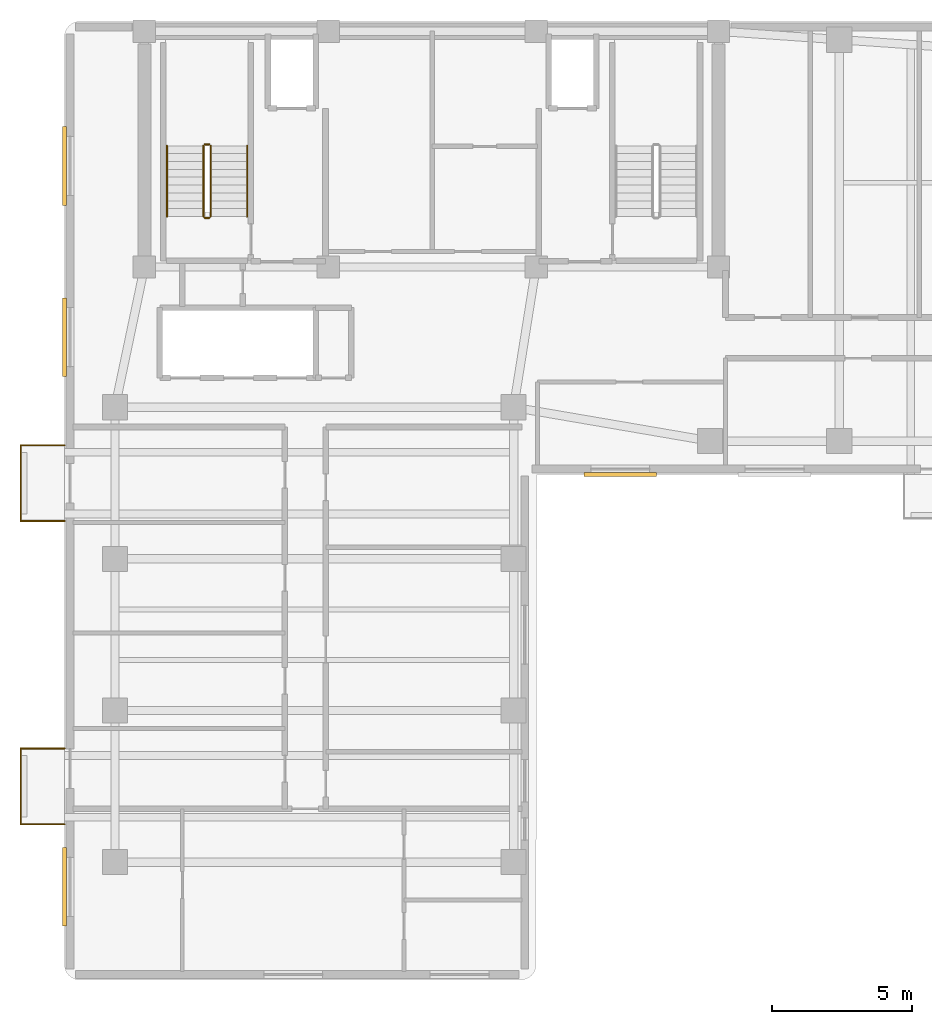
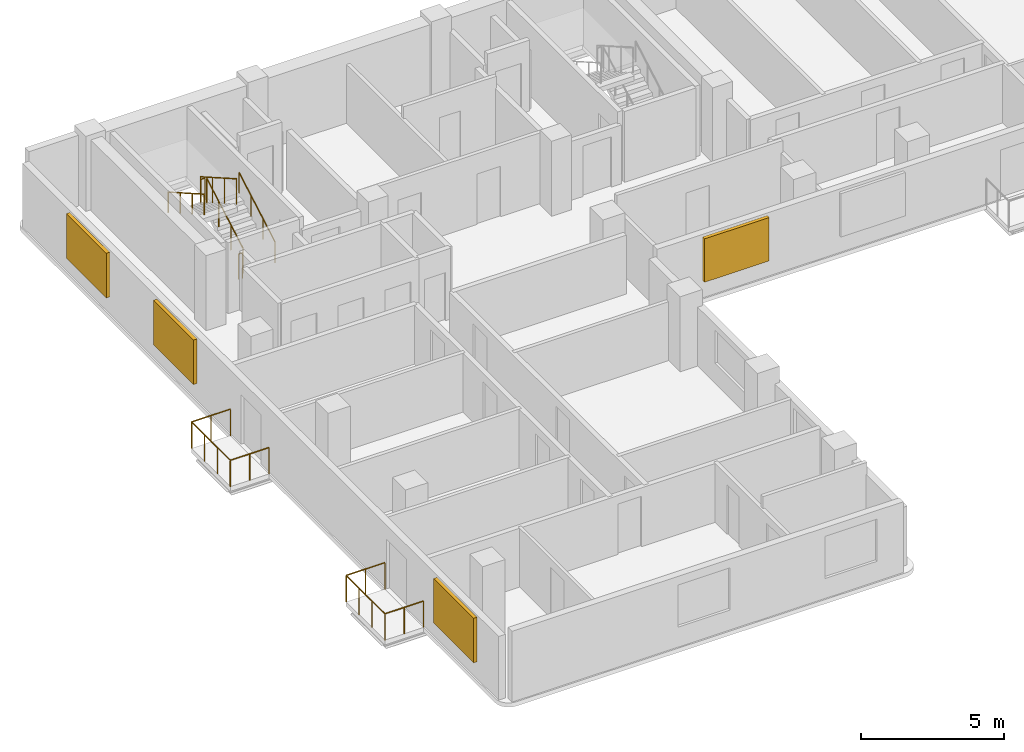
# One storey, part 6 of 7: 12 railings, 4 shading devices.
"""IFC4 building model written with IfcOpenShell, lengths in metres."""

import ifcopenshell
import ifcopenshell.guid

model = None  # the IFC model being written
_history = None  # IfcOwnerHistory: only IFC2X3 demands one
_inside = {}  # id of a spatial element -> (the spatial element, [elements in it])
_under = {}  # id of a project, library or spatial element -> (it, [spatial elements below it])
_declared = {}  # id of a project -> (the project, [libraries it declares])
_typed = {}  # id of a type object -> (the type object, [elements of that type])
_made_of = {}  # id of a material, layer set ... -> (it, [elements and type objects made of it])


def new_model(schema):
    """Start an empty IFC model of exactly this schema.

    Asked for "IFC4X3", IfcOpenShell would pick the latest addendum, in which some entities
    have other attributes; the version numbers below select the first issue.
    IFC2X3 requires an IfcOwnerHistory on every rooted entity: one is made here for all.
    """
    global model, _history
    if schema == "IFC4X3":
        model = ifcopenshell.file(schema_version=(4, 3, 0, 0))
    else:
        model = ifcopenshell.file(schema=schema)
    _inside.clear()
    _under.clear()
    _declared.clear()
    _typed.clear()
    _made_of.clear()
    _history = None
    if model.schema == "IFC2X3":
        org = make("IfcOrganization", Name="unknown")
        user = make(
            "IfcPersonAndOrganization",
            ThePerson=make("IfcPerson", FamilyName="unknown"),
            TheOrganization=org,
        )
        app = make(
            "IfcApplication",
            ApplicationDeveloper=org,
            Version="unknown",
            ApplicationFullName="unknown",
            ApplicationIdentifier="unknown",
        )
        _history = make(
            "IfcOwnerHistory",
            OwningUser=user,
            OwningApplication=app,
            ChangeAction="ADDED",
            CreationDate=0,
        )
    return model


def make(cls, **values):
    """One entity of the class cls with the attributes given. An attribute that is None is left unset."""
    return model.create_entity(
        cls, **{name: value for name, value in values.items() if value is not None}
    )


def rooted(cls, **values):
    """An entity with a GlobalId (a new one), such as an element, a storey or a relation."""
    return make(cls, GlobalId=ifcopenshell.guid.new(), OwnerHistory=_history, **values)


def si_unit(unit_type, name, prefix=None):
    """IfcSIUnit, for example si_unit("LENGTHUNIT", "METRE", prefix="MILLI")."""
    return make("IfcSIUnit", UnitType=unit_type, Prefix=prefix, Name=name)


def assignment(units):
    """IfcUnitAssignment: the units of a project."""
    return None if units is None else make("IfcUnitAssignment", Units=units)


def point(xyz):
    """IfcCartesianPoint."""
    return None if xyz is None else make("IfcCartesianPoint", Coordinates=xyz)


def direction(xyz):
    """IfcDirection."""
    return None if xyz is None else make("IfcDirection", DirectionRatios=xyz)


def frame(location, z_axis=None, x_axis=None):
    """IfcAxis2Placement3D, a coordinate frame: its origin and axes. An axis left out is left unset."""
    return make(
        "IfcAxis2Placement3D",
        Location=point(location),
        Axis=direction(z_axis),
        RefDirection=direction(x_axis),
    )


def frame_2d(location, x_axis=None):
    """IfcAxis2Placement2D, a coordinate frame in the plane: its origin and x axis."""
    return make(
        "IfcAxis2Placement2D", Location=point(location), RefDirection=direction(x_axis)
    )


def origin():
    """The frame at (0, 0, 0) with its axes left unset."""
    return frame((0.0, 0.0, 0.0))


def origin_2d():
    """The frame at (0, 0) in the plane with its x axis left unset."""
    return frame_2d((0.0, 0.0))


def place(relative_to, where):
    """IfcLocalPlacement: puts the frame where relative to a parent placement (None: the world)."""
    return make(
        "IfcLocalPlacement", PlacementRelTo=relative_to, RelativePlacement=where
    )


def context(
    kind, dimensions, precision=None, world=None, true_north=None, identifier=None
):
    """IfcGeometricRepresentationContext, for example the 3D "Model" context."""
    return make(
        "IfcGeometricRepresentationContext",
        ContextIdentifier=identifier,
        ContextType=kind,
        CoordinateSpaceDimension=dimensions,
        Precision=precision,
        WorldCoordinateSystem=world,
        TrueNorth=true_north,
    )


def subcontext(parent, identifier, kind, view, scale=None):
    """IfcGeometricRepresentationSubContext, for example "Body" below "Model"."""
    return make(
        "IfcGeometricRepresentationSubContext",
        ContextIdentifier=identifier,
        ContextType=kind,
        ParentContext=parent,
        TargetScale=scale,
        TargetView=view,
    )


def project(units=None, contexts=None):
    """IfcProject with its units and contexts."""
    return rooted(
        "IfcProject",
        Name="project",
        RepresentationContexts=contexts,
        UnitsInContext=assignment(units),
    )


def spatial(cls, under=None, at=None, **own):
    """A site, building, storey or space (cls), placed at a placement, below another one or the project."""
    s = rooted(cls, ObjectPlacement=at, **own)
    if under is not None:
        _under.setdefault(under.id(), (under, []))[1].append(s)
    return s


def profile(cls, at=None, kind="AREA", **sizes):
    """A parametric profile (cls). Its sizes go by their IFC names, for example OverallWidth=200.0."""
    return make(cls, ProfileType=kind, Position=at, **sizes)


def rectangle(**sizes):
    """IfcRectangleProfileDef."""
    return profile("IfcRectangleProfileDef", **sizes)


def circle(**sizes):
    """IfcCircleProfileDef."""
    return profile("IfcCircleProfileDef", **sizes)


def extrude(swept, where, along, depth):
    """IfcExtrudedAreaSolid: the profile swept, set in the frame where, extruded along a direction by depth."""
    return make(
        "IfcExtrudedAreaSolid",
        SweptArea=swept,
        Position=where,
        ExtrudedDirection=direction(along),
        Depth=depth,
    )


def shape(context_of_items, identifier, shape_type, items):
    """IfcShapeRepresentation: the items that make up one representation, for example the "Body"."""
    return make(
        "IfcShapeRepresentation",
        ContextOfItems=context_of_items,
        RepresentationIdentifier=identifier,
        RepresentationType=shape_type,
        Items=items,
    )


def material(Name=None, Category=None):
    """IfcMaterial."""
    return make("IfcMaterial", Name=Name, Category=Category)


def layer(
    of_material, thickness, ventilated=None, Name=None, Category=None, Priority=None
):
    """IfcMaterialLayer: one layer of a wall or slab, of a material (None: an air gap)."""
    return make(
        "IfcMaterialLayer",
        Material=of_material,
        LayerThickness=thickness,
        IsVentilated=ventilated,
        Name=Name,
        Category=Category,
        Priority=Priority,
    )


def layer_set(layers, Name=None):
    """IfcMaterialLayerSet."""
    return make("IfcMaterialLayerSet", MaterialLayers=layers, LayerSetName=Name)


def made_of(thing, what):
    """Note that an element or type object is made of a material, layer set ...; save() writes the relation."""
    if what is not None:
        _made_of.setdefault(what.id(), (what, []))[1].append(thing)
    return thing


def type_object(cls, material=None, **own):
    """A type object (cls), such as IfcWallType, which elements share."""
    return made_of(rooted(cls, **own), material)


def element(
    cls,
    number,
    at=None,
    inside=None,
    cuts=None,
    type_object=None,
    material=None,
    context=None,
    identifier="Body",
    shape_type=None,
    held_by="IfcProductDefinitionShape",
    body=None,
    shapes=None,
    **own,
):
    """One element of the class cls, such as IfcWall. Its Tag is "e" and its number.

    at: its placement. inside: the storey or other place that contains it. cuts: it is an
    opening in that element (IfcRelVoidsElement). A single representation is given by context,
    identifier, shape_type and body (its items); several are given by shapes. held_by: the class
    of the entity that holds the representations. save() writes the other relations.
    """
    e = rooted(cls, Tag="e%d" % number, ObjectPlacement=at, **own)
    if body is not None:
        shapes = [shape(context, identifier, shape_type, body)]
    if shapes is not None:
        e.Representation = make(held_by, Representations=shapes)
    if inside is not None:
        _inside.setdefault(inside.id(), (inside, []))[1].append(e)
    if cuts is not None:
        rooted(
            "IfcRelVoidsElement", RelatingBuildingElement=cuts, RelatedOpeningElement=e
        )
    if type_object is not None:
        _typed.setdefault(type_object.id(), (type_object, []))[1].append(e)
    return made_of(e, material)


def aggregate(whole, parts):
    """IfcRelAggregates: a whole, such as a stair, and the parts it consists of."""
    return rooted("IfcRelAggregates", RelatingObject=whole, RelatedObjects=parts)


def save(model, path):
    """Write the relations noted so far, then the file.

    IfcRelAggregates (storeys below a building ...), IfcRelContainedInSpatialStructure (elements
    in a storey), IfcRelDefinesByType, IfcRelAssociatesMaterial and IfcRelDeclares: one each for
    every whole, place, type object, material and project.
    """
    for whole, parts in _under.values():
        aggregate(whole, parts)
    for where, things in _inside.values():
        rooted(
            "IfcRelContainedInSpatialStructure",
            RelatedElements=things,
            RelatingStructure=where,
        )
    for kind, things in _typed.values():
        rooted("IfcRelDefinesByType", RelatedObjects=things, RelatingType=kind)
    for what, things in _made_of.values():
        rooted("IfcRelAssociatesMaterial", RelatedObjects=things, RelatingMaterial=what)
    for by, libraries in _declared.values():
        rooted("IfcRelDeclares", RelatingContext=by, RelatedDefinitions=libraries)
    model.write(path)


model = new_model("IFC4")

# Units and contexts
model_context = context("Model", 3, precision=1e-05, world=origin(), true_north=direction((0.0, 1.0)))
body_context = subcontext(model_context, "Body", "Model", "MODEL_VIEW")
ifc_project = project(units=[si_unit("LENGTHUNIT", "METRE"), si_unit("AREAUNIT", "SQUARE_METRE"), si_unit("VOLUMEUNIT", "CUBIC_METRE"), si_unit("PLANEANGLEUNIT", "RADIAN"), si_unit("MASSUNIT", "GRAM", prefix="KILO")], contexts=[model_context])

# Site, building, storey
site_placement = place(None, origin())
site = spatial("IfcSite", under=ifc_project, at=site_placement, CompositionType="ELEMENT")
building_placement = place(site_placement, origin())
building = spatial("IfcBuilding", under=site, at=building_placement, Name="Kuzgunbayir Cultural Tower", CompositionType="ELEMENT")
storey_placement = place(building_placement, frame((0.0, 0.0, 198.39990234375)))
storey = spatial("IfcBuildingStorey", under=building, at=storey_placement, Name="L58", CompositionType="ELEMENT", Elevation=198.39990234375)

# Railings
ifc_material_1 = material(Name="Laminated Glass and Stainless Steel", Category="steel")
ifc_layer_1 = layer(ifc_material_1, 0.080078125)
ifc_layer_set_1 = layer_set([ifc_layer_1], Name="Laminated Glass and Stainless Steel")
railing_type_1 = type_object("IfcRailingType", Name="RLG-BAL-115", PredefinedType="BALUSTRADE", material=ifc_layer_set_1)
railing_1_placement = place(storey_placement, frame((3.60009765625, 13.949951171875, 0.0)))
element("IfcRailing", 1, at=railing_1_placement, inside=storey, type_object=railing_type_1, Name="L58 Balcony Guard BAL-L58-WA1 Segment 1", PredefinedType="BALUSTRADE", context=body_context, shape_type="SweptSolid", body=[
    extrude(circle(Radius=0.02392578125, at=origin_2d()), frame((0.0, 0.0, 1.1259765625), z_axis=(-1.0, 0.0, 0.0), x_axis=(0.0, -1.0, 0.0)), (0.0, 0.0, 1.0), 1.56005859375),
    extrude(circle(Radius=0.02099609375, at=origin_2d()), origin(), (0.0, 0.0, 1.0), 1.101806640625),
    extrude(circle(Radius=0.02099609375, at=origin_2d()), frame((-0.780029296875, 0.0, 0.0)), (0.0, 0.0, 1.0), 1.101806640625),
    extrude(circle(Radius=0.02099609375, at=origin_2d()), frame((-1.56005859375, 0.0, 0.0)), (0.0, 0.0, 1.0), 1.101806640625),
])
railing_2_placement = place(storey_placement, frame((2.0400390625, 13.949951171875, 0.0)))
element("IfcRailing", 2, at=railing_2_placement, inside=storey, type_object=railing_type_1, Name="L58 Balcony Guard BAL-L58-WA1 Segment 2", PredefinedType="BALUSTRADE", context=body_context, shape_type="SweptSolid", body=[
    extrude(circle(Radius=0.02392578125, at=origin_2d()), frame((0.0, 0.0, 1.1259765625), z_axis=(0.0, 1.0, 0.0), x_axis=(-1.0, 0.0, 0.0)), (0.0, 0.0, 1.0), 2.699951171875),
    extrude(circle(Radius=0.02099609375, at=origin_2d()), origin(), (0.0, 0.0, 1.0), 1.101806640625),
    extrude(circle(Radius=0.02099609375, at=origin_2d()), frame((0.0, 0.89990234375, 0.0)), (0.0, 0.0, 1.0), 1.101806640625),
    extrude(circle(Radius=0.02099609375, at=origin_2d()), frame((0.0, 1.800048828125, 0.0)), (0.0, 0.0, 1.0), 1.101806640625),
    extrude(circle(Radius=0.02099609375, at=origin_2d()), frame((0.0, 2.699951171875, 0.0)), (0.0, 0.0, 1.0), 1.101806640625),
])
railing_3_placement = place(storey_placement, frame((2.0400390625, 16.64990234375, 0.0)))
element("IfcRailing", 3, at=railing_3_placement, inside=storey, type_object=railing_type_1, Name="L58 Balcony Guard BAL-L58-WA1 Segment 3", PredefinedType="BALUSTRADE", context=body_context, shape_type="SweptSolid", body=[
    extrude(circle(Radius=0.02392578125, at=origin_2d()), frame((0.0, 0.0, 1.1259765625), z_axis=(1.0, 0.0, 0.0), x_axis=(0.0, 1.0, 0.0)), (0.0, 0.0, 1.0), 1.56005859375),
    extrude(circle(Radius=0.02099609375, at=origin_2d()), origin(), (0.0, 0.0, 1.0), 1.101806640625),
    extrude(circle(Radius=0.02099609375, at=origin_2d()), frame((0.780029296875, 0.0, 0.0)), (0.0, 0.0, 1.0), 1.101806640625),
    extrude(circle(Radius=0.02099609375, at=origin_2d()), frame((1.56005859375, 0.0, 0.0)), (0.0, 0.0, 1.0), 1.101806640625),
])
railing_4_placement = place(storey_placement, frame((3.60009765625, 24.75, 0.0)))
element("IfcRailing", 4, at=railing_4_placement, inside=storey, type_object=railing_type_1, Name="L58 Balcony Guard BAL-L58-WA3 Segment 1", PredefinedType="BALUSTRADE", context=body_context, shape_type="SweptSolid", body=[
    extrude(circle(Radius=0.02392578125, at=origin_2d()), frame((0.0, 0.0, 1.1259765625), z_axis=(-1.0, 0.0, 0.0), x_axis=(0.0, -1.0, 0.0)), (0.0, 0.0, 1.0), 1.56005859375),
    extrude(circle(Radius=0.02099609375, at=origin_2d()), origin(), (0.0, 0.0, 1.0), 1.101806640625),
    extrude(circle(Radius=0.02099609375, at=origin_2d()), frame((-0.780029296875, 0.0, 0.0)), (0.0, 0.0, 1.0), 1.101806640625),
    extrude(circle(Radius=0.02099609375, at=origin_2d()), frame((-1.56005859375, 0.0, 0.0)), (0.0, 0.0, 1.0), 1.101806640625),
])
railing_5_placement = place(storey_placement, frame((2.0400390625, 24.75, 0.0)))
element("IfcRailing", 5, at=railing_5_placement, inside=storey, type_object=railing_type_1, Name="L58 Balcony Guard BAL-L58-WA3 Segment 2", PredefinedType="BALUSTRADE", context=body_context, shape_type="SweptSolid", body=[
    extrude(circle(Radius=0.02392578125, at=origin_2d()), frame((0.0, 0.0, 1.1259765625), z_axis=(0.0, 1.0, 0.0), x_axis=(-1.0, 0.0, 0.0)), (0.0, 0.0, 1.0), 2.699951171875),
    extrude(circle(Radius=0.02099609375, at=origin_2d()), origin(), (0.0, 0.0, 1.0), 1.101806640625),
    extrude(circle(Radius=0.02099609375, at=origin_2d()), frame((0.0, 0.89990234375, 0.0)), (0.0, 0.0, 1.0), 1.101806640625),
    extrude(circle(Radius=0.02099609375, at=origin_2d()), frame((0.0, 1.800048828125, 0.0)), (0.0, 0.0, 1.0), 1.101806640625),
    extrude(circle(Radius=0.02099609375, at=origin_2d()), frame((0.0, 2.699951171875, 0.0)), (0.0, 0.0, 1.0), 1.101806640625),
])
railing_6_placement = place(storey_placement, frame((2.0400390625, 27.449951171875, 0.0)))
element("IfcRailing", 6, at=railing_6_placement, inside=storey, type_object=railing_type_1, Name="L58 Balcony Guard BAL-L58-WA3 Segment 3", PredefinedType="BALUSTRADE", context=body_context, shape_type="SweptSolid", body=[
    extrude(circle(Radius=0.02392578125, at=origin_2d()), frame((0.0, 0.0, 1.1259765625), z_axis=(1.0, 0.0, 0.0), x_axis=(0.0, 1.0, 0.0)), (0.0, 0.0, 1.0), 1.56005859375),
    extrude(circle(Radius=0.02099609375, at=origin_2d()), origin(), (0.0, 0.0, 1.0), 1.101806640625),
    extrude(circle(Radius=0.02099609375, at=origin_2d()), frame((0.780029296875, 0.0, 0.0)), (0.0, 0.0, 1.0), 1.101806640625),
    extrude(circle(Radius=0.02099609375, at=origin_2d()), frame((1.56005859375, 0.0, 0.0)), (0.0, 0.0, 1.0), 1.101806640625),
])
ifc_material_2 = material(Name="Brushed Stainless Steel", Category="steel")
ifc_layer_2 = layer(ifc_material_2, 0.050048828125)
ifc_layer_set_2 = layer_set([ifc_layer_2], Name="Brushed Stainless Steel")
railing_type_2 = type_object("IfcRailingType", Name="RLG-STAIR-HANDRAIL", PredefinedType="HANDRAIL", material=ifc_layer_set_2)
railing_7_placement = place(storey_placement, frame((10.110107421875, 35.60009765625, 0.16015625)))
element("IfcRailing", 7, at=railing_7_placement, inside=storey, type_object=railing_type_2, Name="L58 ST-1 stair handrail 1", PredefinedType="HANDRAIL", context=body_context, shape_type="SweptSolid", body=[
    extrude(circle(Radius=0.02392578125, at=origin_2d()), frame((0.0, 0.0, 0.8759765625), z_axis=(0.0, 0.868253494771, 0.496120820787), x_axis=(-1.0, 0.0, 0.0)), (0.0, 0.0, 1.0), 2.90234375),
    extrude(circle(Radius=0.02099609375, at=origin_2d()), origin(), (0.0, 0.0, 1.0), 0.851806640625),
    extrude(circle(Radius=0.02099609375, at=origin_2d()), frame((0.0, 0.840087890625, 0.47998046875)), (0.0, 0.0, 1.0), 0.851806640625),
    extrude(circle(Radius=0.02099609375, at=origin_2d()), frame((0.0, 1.679931640625, 0.9599609375)), (0.0, 0.0, 1.0), 0.851806640625),
    extrude(circle(Radius=0.02099609375, at=origin_2d()), frame((0.0, 2.52001953125, 1.43994140625)), (0.0, 0.0, 1.0), 0.851806640625),
])
railing_8_placement = place(storey_placement, frame((7.25, 38.1201171875, 1.760009765625)))
element("IfcRailing", 8, at=railing_8_placement, inside=storey, type_object=railing_type_2, Name="L58 ST-1 stair handrail 2", PredefinedType="HANDRAIL", context=body_context, shape_type="SweptSolid", body=[
    extrude(circle(Radius=0.02392578125, at=origin_2d()), frame((0.0, 0.0, 0.8759765625), z_axis=(0.0, -0.868217259934, 0.496184229447), x_axis=(1.0, 0.0, 0.0)), (0.0, 0.0, 1.0), 2.902587890625),
    extrude(circle(Radius=0.02099609375, at=origin_2d()), origin(), (0.0, 0.0, 1.0), 0.851806640625),
    extrude(circle(Radius=0.02099609375, at=origin_2d()), frame((0.0, -0.840087890625, 0.47998046875)), (0.0, 0.0, 1.0), 0.851806640625),
    extrude(circle(Radius=0.02099609375, at=origin_2d()), frame((0.0, -1.679931640625, 0.960205078125)), (0.0, 0.0, 1.0), 0.851806640625),
    extrude(circle(Radius=0.02099609375, at=origin_2d()), frame((0.0, -2.52001953125, 1.440185546875)), (0.0, 0.0, 1.0), 0.851806640625),
])
ifc_material_3 = material(Name="Painted Steel Balustrade", Category="steel")
ifc_layer_3 = layer(ifc_material_3, 0.06005859375)
ifc_layer_set_3 = layer_set([ifc_layer_3], Name="Painted Steel Balustrade")
railing_type_3 = type_object("IfcRailingType", Name="RLG-WELL-GUARD", PredefinedType="GUARDRAIL", material=ifc_layer_set_3)
railing_9_placement = place(storey_placement, frame((8.81005859375, 35.60009765625, 0.16015625)))
element("IfcRailing", 9, at=railing_9_placement, inside=storey, type_object=railing_type_3, Name="L58 ST-1 stair guard 1", PredefinedType="GUARDRAIL", context=body_context, shape_type="SweptSolid", body=[
    extrude(circle(Radius=0.02392578125, at=origin_2d()), frame((0.0, 0.0, 1.076171875), z_axis=(0.0, 0.868253494771, 0.496120820787), x_axis=(-1.0, 0.0, 0.0)), (0.0, 0.0, 1.0), 2.90234375),
    extrude(circle(Radius=0.02099609375, at=origin_2d()), origin(), (0.0, 0.0, 1.0), 1.052001953125),
    extrude(circle(Radius=0.02099609375, at=origin_2d()), frame((0.0, 0.840087890625, 0.47998046875)), (0.0, 0.0, 1.0), 1.052001953125),
    extrude(circle(Radius=0.02099609375, at=origin_2d()), frame((0.0, 1.679931640625, 0.9599609375)), (0.0, 0.0, 1.0), 1.052001953125),
    extrude(circle(Radius=0.02099609375, at=origin_2d()), frame((0.0, 2.52001953125, 1.43994140625)), (0.0, 0.0, 1.0), 1.052001953125),
])
railing_10_placement = place(storey_placement, frame((8.760009765625, 38.169921875, 1.60009765625)))
element("IfcRailing", 10, at=railing_10_placement, inside=storey, type_object=railing_type_3, Name="L58 ST-1 stair guard 2", PredefinedType="GUARDRAIL", context=body_context, shape_type="SweptSolid", body=[
    extrude(circle(Radius=0.02392578125, at=origin_2d()), frame((0.0, 0.0, 1.076171875), z_axis=(-1.0, 0.0, 0.0), x_axis=(0.0, -1.0, 0.0)), (0.0, 0.0, 1.0), 0.159912109375),
    extrude(circle(Radius=0.02099609375, at=origin_2d()), origin(), (0.0, 0.0, 1.0), 1.052001953125),
    extrude(circle(Radius=0.02099609375, at=origin_2d()), frame((-0.159912109375, 0.0, 0.0)), (0.0, 0.0, 1.0), 1.052001953125),
])
railing_11_placement = place(storey_placement, frame((8.550048828125, 38.1201171875, 1.760009765625)))
element("IfcRailing", 11, at=railing_11_placement, inside=storey, type_object=railing_type_3, Name="L58 ST-1 stair guard 3", PredefinedType="GUARDRAIL", context=body_context, shape_type="SweptSolid", body=[
    extrude(circle(Radius=0.02392578125, at=origin_2d()), frame((0.0, 0.0, 1.076171875), z_axis=(0.0, -0.868217259934, 0.496184229447), x_axis=(1.0, 0.0, 0.0)), (0.0, 0.0, 1.0), 2.902587890625),
    extrude(circle(Radius=0.02099609375, at=origin_2d()), origin(), (0.0, 0.0, 1.0), 1.052001953125),
    extrude(circle(Radius=0.02099609375, at=origin_2d()), frame((0.0, -0.840087890625, 0.47998046875)), (0.0, 0.0, 1.0), 1.052001953125),
    extrude(circle(Radius=0.02099609375, at=origin_2d()), frame((0.0, -1.679931640625, 0.960205078125)), (0.0, 0.0, 1.0), 1.052001953125),
    extrude(circle(Radius=0.02099609375, at=origin_2d()), frame((0.0, -2.52001953125, 1.440185546875)), (0.0, 0.0, 1.0), 1.052001953125),
])
railing_12_placement = place(storey_placement, frame((8.760009765625, 35.550048828125, 0.0)))
element("IfcRailing", 12, at=railing_12_placement, inside=storey, type_object=railing_type_3, Name="L58 ST-1 stair guard 4", PredefinedType="GUARDRAIL", context=body_context, shape_type="SweptSolid", body=[
    extrude(circle(Radius=0.02392578125, at=origin_2d()), frame((0.0, 0.0, 1.076171875), z_axis=(-1.0, 0.0, 0.0), x_axis=(0.0, -1.0, 0.0)), (0.0, 0.0, 1.0), 0.159912109375),
    extrude(circle(Radius=0.02099609375, at=origin_2d()), origin(), (0.0, 0.0, 1.0), 1.052001953125),
    extrude(circle(Radius=0.02099609375, at=origin_2d()), frame((-0.159912109375, 0.0, 0.0)), (0.0, 0.0, 1.0), 1.052001953125),
])

# Shading devices
ifc_material_4 = material(Name="Perforated Bronze-Anodised Aluminium", Category="aluminium")
shading_device_type = type_object("IfcShadingDeviceType", Name="SHD-SOLAR-BRONZE", PredefinedType="JALOUSIE", material=ifc_material_4)
for number, where, z_axis, x_axis, name in (
    (13, (3.60009765625, 11.719970703125, 0.710205078125), (0.0, 0.0, 1.0), (1.0, 0.0, 0.0), "L58 Perforated Bronze Solar Screen WAW1"),
    (14, (3.60009765625, 31.300048828125, 0.710205078125), (0.0, 0.0, 1.0), (1.0, 0.0, 0.0), "L58 Perforated Bronze Solar Screen WAW9"),
    (15, (3.60009765625, 37.39990234375, 0.710205078125), (0.0, 0.0, 1.0), (1.0, 0.0, 0.0), "L58 Perforated Bronze Solar Screen WAW10"),
):
    element("IfcShadingDevice", number, at=place(storey_placement, frame(where, z_axis=z_axis, x_axis=x_axis)), inside=storey, type_object=shading_device_type, Name=name, PredefinedType="JALOUSIE", context=body_context, shape_type="SweptSolid", body=[
        extrude(rectangle(XDim=0.139892578125, YDim=2.800048828125, at=origin_2d()), origin(), (0.0, 0.0, 1.0), 1.89990234375),
    ])
shading_device_placement = place(storey_placement, frame((23.39990234375, 26.409912109375, 0.735107421875), z_axis=(0.0, 0.0, 1.0), x_axis=(1.0, 0.0, 0.0)))
element("IfcShadingDevice", 16, at=shading_device_placement, inside=storey, type_object=shading_device_type, Name="L58 Solar Screen WBS13", PredefinedType="JALOUSIE", context=body_context, shape_type="SweptSolid", body=[
    extrude(rectangle(XDim=2.60009765625, YDim=0.139892578125, at=origin_2d()), origin(), (0.0, 0.0, 1.0), 1.85009765625),
])

save(model, "model.ifc")
